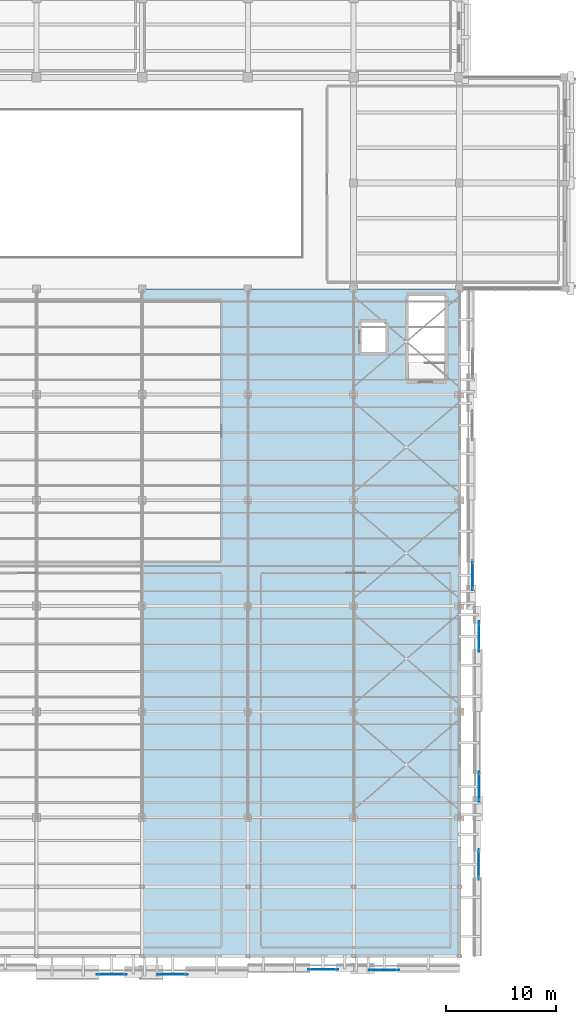
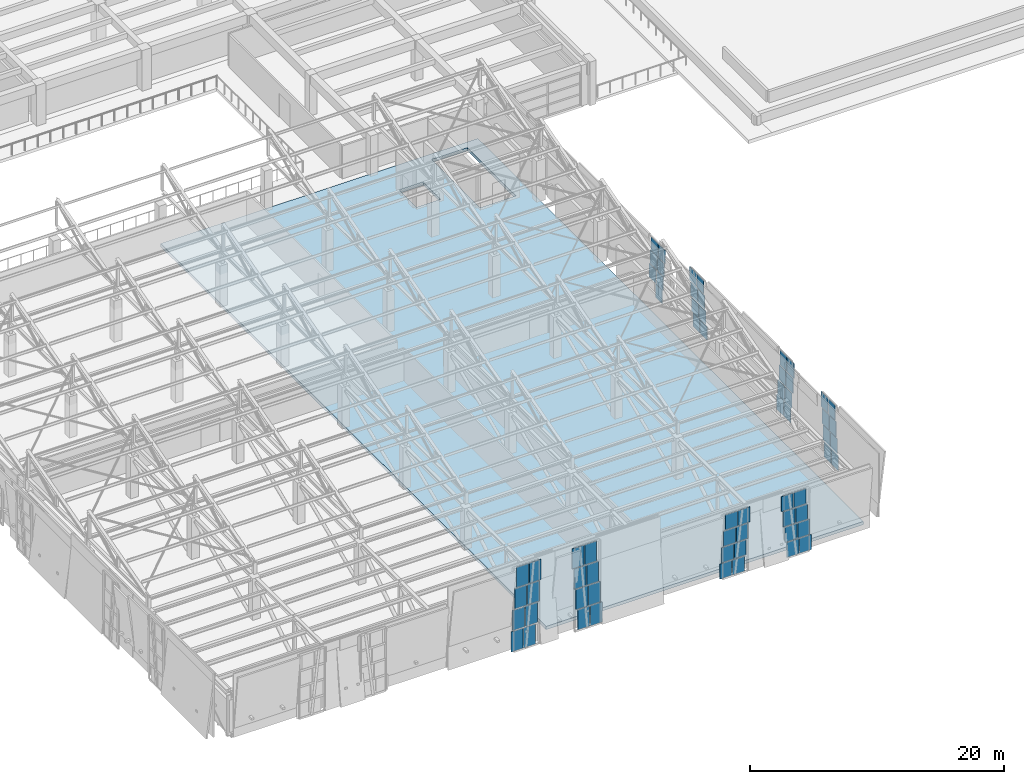
# One storey, part 35 of 71: 63 plates, 1 slab, 8 elements without a shape of their own.
"""IFC4 building model written with IfcOpenShell, lengths in metres."""

from ifc_helpers import new_model, si_unit, direction, frame, origin, origin_2d, place, context, subcontext, project, spatial, polyline, rectangle, outline, extrude, material, layer, layer_set, type_object, element, aggregate, save


model = new_model("IFC4")

# Units and contexts
model_context = context("Model", 3, precision=1e-05, world=origin(), true_north=direction((0.0, 1.0)))
body_context = subcontext(model_context, "Body", "Model", "MODEL_VIEW")
ifc_project = project(units=[si_unit("LENGTHUNIT", "METRE"), si_unit("AREAUNIT", "SQUARE_METRE"), si_unit("VOLUMEUNIT", "CUBIC_METRE"), si_unit("PLANEANGLEUNIT", "RADIAN"), si_unit("MASSUNIT", "GRAM", prefix="KILO")], contexts=[model_context])

# Site, building, storey
site_placement = place(None, origin())
site = spatial("IfcSite", under=ifc_project, at=site_placement, CompositionType="ELEMENT")
building_placement = place(site_placement, origin())
building = spatial("IfcBuilding", under=site, at=building_placement, Name="Bempovik Park Faculty of Sciences", CompositionType="ELEMENT")
storey_placement = place(building_placement, frame((0.0, 0.0, 14.10009765625)))
storey = spatial("IfcBuildingStorey", under=building, at=storey_placement, Name="L03", CompositionType="ELEMENT", Elevation=14.10009765625)

# Curtain wall, plates
ifc_material_1 = material(Name="Tempered laminated low-E glass", Category="glass")
ifc_layer_1 = layer(ifc_material_1, 0.159912109375)
ifc_layer_set_1 = layer_set([ifc_layer_1], Name="Tempered laminated low-E glass")
curtain_wall_type = type_object("IfcCurtainWallType", Name="CW-33 Curtain 2400x4000", PredefinedType="USERDEFINED", material=ifc_layer_set_1)
curtain_wall_1_placement = place(storey_placement, origin())
curtain_wall_1 = element("IfcCurtainWall", 1, at=curtain_wall_1_placement, inside=storey, type_object=curtain_wall_type, Name="L03 Crystal Slantwise Light Fold (117.6,7.2)", ObjectType="UNITISED CURTAIN WALL", PredefinedType="USERDEFINED")
ifc_layer_2 = layer(ifc_material_1, 0.035888671875)
ifc_layer_set_2 = layer_set([ifc_layer_2], Name="Tempered laminated low-E glass")
plate_type = type_object("IfcPlateType", Name="CP-22 Curtain Panel 36mm", PredefinedType="CURTAIN_PANEL", material=ifc_layer_set_2)
plate_1_placement = place(storey_placement, frame((119.360595703125, 14.695068359375, 0.0), z_axis=(0.0, 0.0, 1.0), x_axis=(0.0, 1.0, 0.0)))
plate_1 = element("IfcPlate", 2, at=plate_1_placement, type_object=plate_type, Name="CW-FOLD-L03-1176-72 Panel 0-0", PredefinedType="CURTAIN_PANEL", context=body_context, shape_type="SweptSolid", body=[
    extrude(rectangle(XDim=1.070068359375, YDim=0.035888671875, at=origin_2d()), origin(), (0.0, 0.0, 1.0), 1.4423828125),
])
plate_2_placement = place(storey_placement, frame((119.360595703125, 14.864990234375, 1.5224609375), z_axis=(0.0, 0.0, 1.0), x_axis=(0.0, 1.0, 0.0)))
plate_2 = element("IfcPlate", 3, at=plate_2_placement, type_object=plate_type, Name="CW-FOLD-L03-1176-72 Panel 0-1", PredefinedType="CURTAIN_PANEL", context=body_context, shape_type="SweptSolid", body=[
    extrude(rectangle(XDim=1.070068359375, YDim=0.035888671875, at=origin_2d()), origin(), (0.0, 0.0, 1.0), 1.4423828125),
])
plate_3_placement = place(storey_placement, frame((119.360595703125, 15.034912109375, 3.044921875), z_axis=(0.0, 0.0, 1.0), x_axis=(0.0, 1.0, 0.0)))
plate_3 = element("IfcPlate", 4, at=plate_3_placement, type_object=plate_type, Name="CW-FOLD-L03-1176-72 Panel 0-2", PredefinedType="CURTAIN_PANEL", context=body_context, shape_type="SweptSolid", body=[
    extrude(rectangle(XDim=1.070068359375, YDim=0.035888671875, at=origin_2d()), origin(), (0.0, 0.0, 1.0), 1.4423828125),
])
plate_4_placement = place(storey_placement, frame((119.360595703125, 15.205078125, 4.5673828125), z_axis=(0.0, 0.0, 1.0), x_axis=(0.0, 1.0, 0.0)))
plate_4 = element("IfcPlate", 5, at=plate_4_placement, type_object=plate_type, Name="CW-FOLD-L03-1176-72 Panel 0-3", PredefinedType="CURTAIN_PANEL", context=body_context, shape_type="SweptSolid", body=[
    extrude(rectangle(XDim=1.070068359375, YDim=0.035888671875, at=origin_2d()), origin(), (0.0, 0.0, 1.0), 1.4423828125),
])
plate_5_placement = place(storey_placement, frame((119.360595703125, 15.844970703125, 0.0), z_axis=(0.0, 0.0, 1.0), x_axis=(0.0, 1.0, 0.0)))
plate_5 = element("IfcPlate", 6, at=plate_5_placement, type_object=plate_type, Name="CW-FOLD-L03-1176-72 Panel 1-0", PredefinedType="CURTAIN_PANEL", context=body_context, shape_type="SweptSolid", body=[
    extrude(rectangle(XDim=1.070068359375, YDim=0.035888671875, at=origin_2d()), origin(), (0.0, 0.0, 1.0), 1.4423828125),
])
plate_6_placement = place(storey_placement, frame((119.360595703125, 16.014892578125, 1.5224609375), z_axis=(0.0, 0.0, 1.0), x_axis=(0.0, 1.0, 0.0)))
plate_6 = element("IfcPlate", 7, at=plate_6_placement, type_object=plate_type, Name="CW-FOLD-L03-1176-72 Panel 1-1", PredefinedType="CURTAIN_PANEL", context=body_context, shape_type="SweptSolid", body=[
    extrude(rectangle(XDim=1.070068359375, YDim=0.035888671875, at=origin_2d()), origin(), (0.0, 0.0, 1.0), 1.4423828125),
])
plate_7_placement = place(storey_placement, frame((119.360595703125, 16.18505859375, 3.044921875), z_axis=(0.0, 0.0, 1.0), x_axis=(0.0, 1.0, 0.0)))
plate_7 = element("IfcPlate", 8, at=plate_7_placement, type_object=plate_type, Name="CW-FOLD-L03-1176-72 Panel 1-2", PredefinedType="CURTAIN_PANEL", context=body_context, shape_type="SweptSolid", body=[
    extrude(rectangle(XDim=1.070068359375, YDim=0.035888671875, at=origin_2d()), origin(), (0.0, 0.0, 1.0), 1.4423828125),
])
plate_8_placement = place(storey_placement, frame((119.360595703125, 16.35498046875, 4.5673828125), z_axis=(0.0, 0.0, 1.0), x_axis=(0.0, 1.0, 0.0)))
plate_8 = element("IfcPlate", 9, at=plate_8_placement, type_object=plate_type, Name="CW-FOLD-L03-1176-72 Panel 1-3", PredefinedType="CURTAIN_PANEL", context=body_context, shape_type="SweptSolid", body=[
    extrude(rectangle(XDim=1.070068359375, YDim=0.035888671875, at=origin_2d()), origin(), (0.0, 0.0, 1.0), 1.4423828125),
])
aggregate(curtain_wall_1, [plate_1, plate_2, plate_3, plate_4, plate_5, plate_6, plate_7, plate_8])

curtain_wall_2_placement = place(storey_placement, origin())
curtain_wall_2 = element("IfcCurtainWall", 10, at=curtain_wall_2_placement, inside=storey, type_object=curtain_wall_type, Name="L03 Crystal Slantwise Light Fold (117.6,19.8)", ObjectType="UNITISED CURTAIN WALL", PredefinedType="USERDEFINED")
plate_9_placement = place(storey_placement, frame((119.402587890625, 22.2548828125, 0.0), z_axis=(0.0, 0.0, 1.0), x_axis=(0.0, 1.0, 0.0)))
plate_9 = element("IfcPlate", 11, at=plate_9_placement, type_object=plate_type, Name="CW-FOLD-L03-1176-198 Panel 0-0", PredefinedType="CURTAIN_PANEL", context=body_context, shape_type="SweptSolid", body=[
    extrude(rectangle(XDim=1.070068359375, YDim=0.035888671875, at=origin_2d()), origin(), (0.0, 0.0, 1.0), 1.4423828125),
])
plate_10_placement = place(storey_placement, frame((119.402587890625, 22.0849609375, 1.5224609375), z_axis=(0.0, 0.0, 1.0), x_axis=(0.0, 1.0, 0.0)))
plate_10 = element("IfcPlate", 12, at=plate_10_placement, type_object=plate_type, Name="CW-FOLD-L03-1176-198 Panel 0-1", PredefinedType="CURTAIN_PANEL", context=body_context, shape_type="SweptSolid", body=[
    extrude(rectangle(XDim=1.070068359375, YDim=0.035888671875, at=origin_2d()), origin(), (0.0, 0.0, 1.0), 1.4423828125),
])
plate_11_placement = place(storey_placement, frame((119.402587890625, 21.9150390625, 3.044921875), z_axis=(0.0, 0.0, 1.0), x_axis=(0.0, 1.0, 0.0)))
plate_11 = element("IfcPlate", 13, at=plate_11_placement, type_object=plate_type, Name="CW-FOLD-L03-1176-198 Panel 0-2", PredefinedType="CURTAIN_PANEL", context=body_context, shape_type="SweptSolid", body=[
    extrude(rectangle(XDim=1.070068359375, YDim=0.035888671875, at=origin_2d()), origin(), (0.0, 0.0, 1.0), 1.4423828125),
])
plate_12_placement = place(storey_placement, frame((119.402587890625, 21.7451171875, 4.5673828125), z_axis=(0.0, 0.0, 1.0), x_axis=(0.0, 1.0, 0.0)))
plate_12 = element("IfcPlate", 14, at=plate_12_placement, type_object=plate_type, Name="CW-FOLD-L03-1176-198 Panel 0-3", PredefinedType="CURTAIN_PANEL", context=body_context, shape_type="SweptSolid", body=[
    extrude(rectangle(XDim=1.070068359375, YDim=0.035888671875, at=origin_2d()), origin(), (0.0, 0.0, 1.0), 1.4423828125),
])
plate_13_placement = place(storey_placement, frame((119.402587890625, 23.405029296875, 0.0), z_axis=(0.0, 0.0, 1.0), x_axis=(0.0, 1.0, 0.0)))
plate_13 = element("IfcPlate", 15, at=plate_13_placement, type_object=plate_type, Name="CW-FOLD-L03-1176-198 Panel 1-0", PredefinedType="CURTAIN_PANEL", context=body_context, shape_type="SweptSolid", body=[
    extrude(rectangle(XDim=1.070068359375, YDim=0.035888671875, at=origin_2d()), origin(), (0.0, 0.0, 1.0), 1.4423828125),
])
plate_14_placement = place(storey_placement, frame((119.402587890625, 23.235107421875, 1.5224609375), z_axis=(0.0, 0.0, 1.0), x_axis=(0.0, 1.0, 0.0)))
plate_14 = element("IfcPlate", 16, at=plate_14_placement, type_object=plate_type, Name="CW-FOLD-L03-1176-198 Panel 1-1", PredefinedType="CURTAIN_PANEL", context=body_context, shape_type="SweptSolid", body=[
    extrude(rectangle(XDim=1.070068359375, YDim=0.035888671875, at=origin_2d()), origin(), (0.0, 0.0, 1.0), 1.4423828125),
])
plate_15_placement = place(storey_placement, frame((119.402587890625, 23.06494140625, 3.044921875), z_axis=(0.0, 0.0, 1.0), x_axis=(0.0, 1.0, 0.0)))
plate_15 = element("IfcPlate", 17, at=plate_15_placement, type_object=plate_type, Name="CW-FOLD-L03-1176-198 Panel 1-2", PredefinedType="CURTAIN_PANEL", context=body_context, shape_type="SweptSolid", body=[
    extrude(rectangle(XDim=1.070068359375, YDim=0.035888671875, at=origin_2d()), origin(), (0.0, 0.0, 1.0), 1.4423828125),
])
plate_16_placement = place(storey_placement, frame((119.402587890625, 22.89501953125, 4.5673828125), z_axis=(0.0, 0.0, 1.0), x_axis=(0.0, 1.0, 0.0)))
plate_16 = element("IfcPlate", 18, at=plate_16_placement, type_object=plate_type, Name="CW-FOLD-L03-1176-198 Panel 1-3", PredefinedType="CURTAIN_PANEL", context=body_context, shape_type="SweptSolid", body=[
    extrude(rectangle(XDim=1.070068359375, YDim=0.035888671875, at=origin_2d()), origin(), (0.0, 0.0, 1.0), 1.4423828125),
])
aggregate(curtain_wall_2, [plate_9, plate_10, plate_11, plate_12, plate_13, plate_14, plate_15, plate_16])

curtain_wall_3_placement = place(storey_placement, origin())
curtain_wall_3 = element("IfcCurtainWall", 19, at=curtain_wall_3_placement, inside=storey, type_object=curtain_wall_type, Name="L03 Crystal Slantwise Light Fold (117.6,29.4)", ObjectType="UNITISED CURTAIN WALL", PredefinedType="USERDEFINED")
plate_17_placement = place(storey_placement, frame((119.382080078125, 35.39501953125, -0.000244140625), z_axis=(0.0, 0.0, 1.0), x_axis=(0.0, 1.0, 0.0)))
plate_17 = element("IfcPlate", 20, at=plate_17_placement, type_object=plate_type, Name="CW-FOLD-L03-1176-294 Panel 0-0", PredefinedType="CURTAIN_PANEL", context=body_context, shape_type="SweptSolid", body=[
    extrude(rectangle(XDim=1.070068359375, YDim=0.035888671875, at=origin_2d()), origin(), (0.0, 0.0, 1.0), 1.29248046875),
])
plate_18_placement = place(storey_placement, frame((119.382080078125, 35.56494140625, 1.372314453125), z_axis=(0.0, 0.0, 1.0), x_axis=(0.0, 1.0, 0.0)))
plate_18 = element("IfcPlate", 21, at=plate_18_placement, type_object=plate_type, Name="CW-FOLD-L03-1176-294 Panel 0-1", PredefinedType="CURTAIN_PANEL", context=body_context, shape_type="SweptSolid", body=[
    extrude(rectangle(XDim=1.070068359375, YDim=0.035888671875, at=origin_2d()), origin(), (0.0, 0.0, 1.0), 1.29248046875),
])
plate_19_placement = place(storey_placement, frame((119.382080078125, 35.735107421875, 2.744873046875), z_axis=(0.0, 0.0, 1.0), x_axis=(0.0, 1.0, 0.0)))
plate_19 = element("IfcPlate", 22, at=plate_19_placement, type_object=plate_type, Name="CW-FOLD-L03-1176-294 Panel 0-2", PredefinedType="CURTAIN_PANEL", context=body_context, shape_type="SweptSolid", body=[
    extrude(rectangle(XDim=1.070068359375, YDim=0.035888671875, at=origin_2d()), origin(), (0.0, 0.0, 1.0), 1.29248046875),
])
plate_20_placement = place(storey_placement, frame((119.382080078125, 35.905029296875, 4.117431640625), z_axis=(0.0, 0.0, 1.0), x_axis=(0.0, 1.0, 0.0)))
plate_20 = element("IfcPlate", 23, at=plate_20_placement, type_object=plate_type, Name="CW-FOLD-L03-1176-294 Panel 0-3", PredefinedType="CURTAIN_PANEL", context=body_context, shape_type="SweptSolid", body=[
    extrude(rectangle(XDim=1.070068359375, YDim=0.035888671875, at=origin_2d()), origin(), (0.0, 0.0, 1.0), 1.29248046875),
])
plate_21_placement = place(storey_placement, frame((119.382080078125, 36.544921875, -0.000244140625), z_axis=(0.0, 0.0, 1.0), x_axis=(0.0, 1.0, 0.0)))
plate_21 = element("IfcPlate", 24, at=plate_21_placement, type_object=plate_type, Name="CW-FOLD-L03-1176-294 Panel 1-0", PredefinedType="CURTAIN_PANEL", context=body_context, shape_type="SweptSolid", body=[
    extrude(rectangle(XDim=1.070068359375, YDim=0.035888671875, at=origin_2d()), origin(), (0.0, 0.0, 1.0), 1.29248046875),
])
plate_22_placement = place(storey_placement, frame((119.382080078125, 36.715087890625, 1.372314453125), z_axis=(0.0, 0.0, 1.0), x_axis=(0.0, 1.0, 0.0)))
plate_22 = element("IfcPlate", 25, at=plate_22_placement, type_object=plate_type, Name="CW-FOLD-L03-1176-294 Panel 1-1", PredefinedType="CURTAIN_PANEL", context=body_context, shape_type="SweptSolid", body=[
    extrude(rectangle(XDim=1.070068359375, YDim=0.035888671875, at=origin_2d()), origin(), (0.0, 0.0, 1.0), 1.29248046875),
])
plate_23_placement = place(storey_placement, frame((119.382080078125, 36.885009765625, 2.744873046875), z_axis=(0.0, 0.0, 1.0), x_axis=(0.0, 1.0, 0.0)))
plate_23 = element("IfcPlate", 26, at=plate_23_placement, type_object=plate_type, Name="CW-FOLD-L03-1176-294 Panel 1-2", PredefinedType="CURTAIN_PANEL", context=body_context, shape_type="SweptSolid", body=[
    extrude(rectangle(XDim=1.070068359375, YDim=0.035888671875, at=origin_2d()), origin(), (0.0, 0.0, 1.0), 1.29248046875),
])
plate_24_placement = place(storey_placement, frame((119.382080078125, 37.054931640625, 4.117431640625), z_axis=(0.0, 0.0, 1.0), x_axis=(0.0, 1.0, 0.0)))
plate_24 = element("IfcPlate", 27, at=plate_24_placement, type_object=plate_type, Name="CW-FOLD-L03-1176-294 Panel 1-3", PredefinedType="CURTAIN_PANEL", context=body_context, shape_type="SweptSolid", body=[
    extrude(rectangle(XDim=1.070068359375, YDim=0.035888671875, at=origin_2d()), origin(), (0.0, 0.0, 1.0), 1.29248046875),
])
aggregate(curtain_wall_3, [plate_17, plate_18, plate_19, plate_20, plate_21, plate_22, plate_23, plate_24])

curtain_wall_4_placement = place(storey_placement, origin())
curtain_wall_4 = element("IfcCurtainWall", 28, at=curtain_wall_4_placement, inside=storey, type_object=curtain_wall_type, Name="L03 Crystal Slantwise Light Fold (117.6,39.0)", ObjectType="UNITISED CURTAIN WALL", PredefinedType="USERDEFINED")
plate_25_placement = place(storey_placement, frame((118.8115234375, 41.455078125, -0.000244140625), z_axis=(0.0, 0.0, 1.0), x_axis=(0.0, 1.0, 0.0)))
plate_25 = element("IfcPlate", 29, at=plate_25_placement, type_object=plate_type, Name="CW-FOLD-L03-1176-390 Panel 0-0", PredefinedType="CURTAIN_PANEL", context=body_context, shape_type="SweptSolid", body=[
    extrude(rectangle(XDim=1.070068359375, YDim=0.035888671875, at=origin_2d()), origin(), (0.0, 0.0, 1.0), 1.29248046875),
])
plate_26_placement = place(storey_placement, frame((118.8115234375, 41.284912109375, 1.372314453125), z_axis=(0.0, 0.0, 1.0), x_axis=(0.0, 1.0, 0.0)))
plate_26 = element("IfcPlate", 30, at=plate_26_placement, type_object=plate_type, Name="CW-FOLD-L03-1176-390 Panel 0-1", PredefinedType="CURTAIN_PANEL", context=body_context, shape_type="SweptSolid", body=[
    extrude(rectangle(XDim=1.070068359375, YDim=0.035888671875, at=origin_2d()), origin(), (0.0, 0.0, 1.0), 1.29248046875),
])
plate_27_placement = place(storey_placement, frame((118.8115234375, 41.114990234375, 2.744873046875), z_axis=(0.0, 0.0, 1.0), x_axis=(0.0, 1.0, 0.0)))
plate_27 = element("IfcPlate", 31, at=plate_27_placement, type_object=plate_type, Name="CW-FOLD-L03-1176-390 Panel 0-2", PredefinedType="CURTAIN_PANEL", context=body_context, shape_type="SweptSolid", body=[
    extrude(rectangle(XDim=1.070068359375, YDim=0.035888671875, at=origin_2d()), origin(), (0.0, 0.0, 1.0), 1.29248046875),
])
plate_28_placement = place(storey_placement, frame((118.8115234375, 40.945068359375, 4.117431640625), z_axis=(0.0, 0.0, 1.0), x_axis=(0.0, 1.0, 0.0)))
plate_28 = element("IfcPlate", 32, at=plate_28_placement, type_object=plate_type, Name="CW-FOLD-L03-1176-390 Panel 0-3", PredefinedType="CURTAIN_PANEL", context=body_context, shape_type="SweptSolid", body=[
    extrude(rectangle(XDim=1.070068359375, YDim=0.035888671875, at=origin_2d()), origin(), (0.0, 0.0, 1.0), 1.29248046875),
])
plate_29_placement = place(storey_placement, frame((118.8115234375, 42.43505859375, 1.372314453125), z_axis=(0.0, 0.0, 1.0), x_axis=(0.0, 1.0, 0.0)))
plate_29 = element("IfcPlate", 33, at=plate_29_placement, type_object=plate_type, Name="CW-FOLD-L03-1176-390 Panel 1-1", PredefinedType="CURTAIN_PANEL", context=body_context, shape_type="SweptSolid", body=[
    extrude(rectangle(XDim=1.070068359375, YDim=0.035888671875, at=origin_2d()), origin(), (0.0, 0.0, 1.0), 1.29248046875),
])
plate_30_placement = place(storey_placement, frame((118.8115234375, 42.264892578125, 2.744873046875), z_axis=(0.0, 0.0, 1.0), x_axis=(0.0, 1.0, 0.0)))
plate_30 = element("IfcPlate", 34, at=plate_30_placement, type_object=plate_type, Name="CW-FOLD-L03-1176-390 Panel 1-2", PredefinedType="CURTAIN_PANEL", context=body_context, shape_type="SweptSolid", body=[
    extrude(rectangle(XDim=1.070068359375, YDim=0.035888671875, at=origin_2d()), origin(), (0.0, 0.0, 1.0), 1.29248046875),
])
plate_31_placement = place(storey_placement, frame((118.8115234375, 42.094970703125, 4.117431640625), z_axis=(0.0, 0.0, 1.0), x_axis=(0.0, 1.0, 0.0)))
plate_31 = element("IfcPlate", 35, at=plate_31_placement, type_object=plate_type, Name="CW-FOLD-L03-1176-390 Panel 1-3", PredefinedType="CURTAIN_PANEL", context=body_context, shape_type="SweptSolid", body=[
    extrude(rectangle(XDim=1.070068359375, YDim=0.035888671875, at=origin_2d()), origin(), (0.0, 0.0, 1.0), 1.29248046875),
])
aggregate(curtain_wall_4, [plate_25, plate_26, plate_27, plate_28, plate_29, plate_30, plate_31])

curtain_wall_5_placement = place(storey_placement, origin())
curtain_wall_5 = element("IfcCurtainWall", 36, at=curtain_wall_5_placement, inside=storey, type_object=curtain_wall_type, Name="L03 Crystal Slantwise Light Fold (7.2,79.2)", ObjectType="UNITISED CURTAIN WALL", PredefinedType="USERDEFINED")
plate_32_placement = place(storey_placement, frame((85.195068359375, 5.552734375, 0.0), z_axis=(0.0, 0.0, 1.0), x_axis=(1.0, 0.0, 0.0)))
plate_32 = element("IfcPlate", 37, at=plate_32_placement, type_object=plate_type, Name="CW-FOLD-L03-72-792 Panel 0-0", PredefinedType="CURTAIN_PANEL", context=body_context, shape_type="SweptSolid", body=[
    extrude(rectangle(XDim=1.070068359375, YDim=0.035888671875, at=origin_2d()), origin(), (0.0, 0.0, 1.0), 1.929931640625),
])
plate_33_placement = place(storey_placement, frame((85.364990234375, 5.552734375, 2.009765625), z_axis=(0.0, 0.0, 1.0), x_axis=(1.0, 0.0, 0.0)))
plate_33 = element("IfcPlate", 38, at=plate_33_placement, type_object=plate_type, Name="CW-FOLD-L03-72-792 Panel 0-1", PredefinedType="CURTAIN_PANEL", context=body_context, shape_type="SweptSolid", body=[
    extrude(rectangle(XDim=1.070068359375, YDim=0.035888671875, at=origin_2d()), origin(), (0.0, 0.0, 1.0), 1.929931640625),
])
plate_34_placement = place(storey_placement, frame((85.534912109375, 5.552734375, 4.02001953125), z_axis=(0.0, 0.0, 1.0), x_axis=(1.0, 0.0, 0.0)))
plate_34 = element("IfcPlate", 39, at=plate_34_placement, type_object=plate_type, Name="CW-FOLD-L03-72-792 Panel 0-2", PredefinedType="CURTAIN_PANEL", context=body_context, shape_type="SweptSolid", body=[
    extrude(rectangle(XDim=1.070068359375, YDim=0.035888671875, at=origin_2d()), origin(), (0.0, 0.0, 1.0), 1.929931640625),
])
plate_35_placement = place(storey_placement, frame((85.705078125, 5.552734375, 6.02978515625), z_axis=(0.0, 0.0, 1.0), x_axis=(1.0, 0.0, 0.0)))
plate_35 = element("IfcPlate", 40, at=plate_35_placement, type_object=plate_type, Name="CW-FOLD-L03-72-792 Panel 0-3", PredefinedType="CURTAIN_PANEL", context=body_context, shape_type="SweptSolid", body=[
    extrude(rectangle(XDim=1.070068359375, YDim=0.035888671875, at=origin_2d()), origin(), (0.0, 0.0, 1.0), 1.929931640625),
])
plate_36_placement = place(storey_placement, frame((86.344970703125, 5.552734375, 0.0), z_axis=(0.0, 0.0, 1.0), x_axis=(1.0, 0.0, 0.0)))
plate_36 = element("IfcPlate", 41, at=plate_36_placement, type_object=plate_type, Name="CW-FOLD-L03-72-792 Panel 1-0", PredefinedType="CURTAIN_PANEL", context=body_context, shape_type="SweptSolid", body=[
    extrude(rectangle(XDim=1.070068359375, YDim=0.035888671875, at=origin_2d()), origin(), (0.0, 0.0, 1.0), 1.929931640625),
])
plate_37_placement = place(storey_placement, frame((86.514892578125, 5.552734375, 2.009765625), z_axis=(0.0, 0.0, 1.0), x_axis=(1.0, 0.0, 0.0)))
plate_37 = element("IfcPlate", 42, at=plate_37_placement, type_object=plate_type, Name="CW-FOLD-L03-72-792 Panel 1-1", PredefinedType="CURTAIN_PANEL", context=body_context, shape_type="SweptSolid", body=[
    extrude(rectangle(XDim=1.070068359375, YDim=0.035888671875, at=origin_2d()), origin(), (0.0, 0.0, 1.0), 1.929931640625),
])
plate_38_placement = place(storey_placement, frame((86.68505859375, 5.552734375, 4.02001953125), z_axis=(0.0, 0.0, 1.0), x_axis=(1.0, 0.0, 0.0)))
plate_38 = element("IfcPlate", 43, at=plate_38_placement, type_object=plate_type, Name="CW-FOLD-L03-72-792 Panel 1-2", PredefinedType="CURTAIN_PANEL", context=body_context, shape_type="SweptSolid", body=[
    extrude(rectangle(XDim=1.070068359375, YDim=0.035888671875, at=origin_2d()), origin(), (0.0, 0.0, 1.0), 1.929931640625),
])
plate_39_placement = place(storey_placement, frame((86.85498046875, 5.552734375, 6.02978515625), z_axis=(0.0, 0.0, 1.0), x_axis=(1.0, 0.0, 0.0)))
plate_39 = element("IfcPlate", 44, at=plate_39_placement, type_object=plate_type, Name="CW-FOLD-L03-72-792 Panel 1-3", PredefinedType="CURTAIN_PANEL", context=body_context, shape_type="SweptSolid", body=[
    extrude(rectangle(XDim=1.070068359375, YDim=0.035888671875, at=origin_2d()), origin(), (0.0, 0.0, 1.0), 1.929931640625),
])
aggregate(curtain_wall_5, [plate_32, plate_33, plate_34, plate_35, plate_36, plate_37, plate_38, plate_39])

curtain_wall_6_placement = place(storey_placement, origin())
curtain_wall_6 = element("IfcCurtainWall", 45, at=curtain_wall_6_placement, inside=storey, type_object=curtain_wall_type, Name="L03 Crystal Slantwise Light Fold (7.2,88.8)", ObjectType="UNITISED CURTAIN WALL", PredefinedType="USERDEFINED")
plate_40_placement = place(storey_placement, frame((91.2548828125, 5.552734375, 0.0), z_axis=(0.0, 0.0, 1.0), x_axis=(1.0, 0.0, 0.0)))
plate_40 = element("IfcPlate", 46, at=plate_40_placement, type_object=plate_type, Name="CW-FOLD-L03-72-888 Panel 0-0", PredefinedType="CURTAIN_PANEL", context=body_context, shape_type="SweptSolid", body=[
    extrude(rectangle(XDim=1.070068359375, YDim=0.035888671875, at=origin_2d()), origin(), (0.0, 0.0, 1.0), 1.929931640625),
])
plate_41_placement = place(storey_placement, frame((91.0849609375, 5.552734375, 2.009765625), z_axis=(0.0, 0.0, 1.0), x_axis=(1.0, 0.0, 0.0)))
plate_41 = element("IfcPlate", 47, at=plate_41_placement, type_object=plate_type, Name="CW-FOLD-L03-72-888 Panel 0-1", PredefinedType="CURTAIN_PANEL", context=body_context, shape_type="SweptSolid", body=[
    extrude(rectangle(XDim=1.070068359375, YDim=0.035888671875, at=origin_2d()), origin(), (0.0, 0.0, 1.0), 1.929931640625),
])
plate_42_placement = place(storey_placement, frame((90.9150390625, 5.552734375, 4.02001953125), z_axis=(0.0, 0.0, 1.0), x_axis=(1.0, 0.0, 0.0)))
plate_42 = element("IfcPlate", 48, at=plate_42_placement, type_object=plate_type, Name="CW-FOLD-L03-72-888 Panel 0-2", PredefinedType="CURTAIN_PANEL", context=body_context, shape_type="SweptSolid", body=[
    extrude(rectangle(XDim=1.070068359375, YDim=0.035888671875, at=origin_2d()), origin(), (0.0, 0.0, 1.0), 1.929931640625),
])
plate_43_placement = place(storey_placement, frame((90.7451171875, 5.552734375, 6.02978515625), z_axis=(0.0, 0.0, 1.0), x_axis=(1.0, 0.0, 0.0)))
plate_43 = element("IfcPlate", 49, at=plate_43_placement, type_object=plate_type, Name="CW-FOLD-L03-72-888 Panel 0-3", PredefinedType="CURTAIN_PANEL", context=body_context, shape_type="SweptSolid", body=[
    extrude(rectangle(XDim=1.070068359375, YDim=0.035888671875, at=origin_2d()), origin(), (0.0, 0.0, 1.0), 1.929931640625),
])
plate_44_placement = place(storey_placement, frame((92.405029296875, 5.552734375, 0.0), z_axis=(0.0, 0.0, 1.0), x_axis=(1.0, 0.0, 0.0)))
plate_44 = element("IfcPlate", 50, at=plate_44_placement, type_object=plate_type, Name="CW-FOLD-L03-72-888 Panel 1-0", PredefinedType="CURTAIN_PANEL", context=body_context, shape_type="SweptSolid", body=[
    extrude(rectangle(XDim=1.070068359375, YDim=0.035888671875, at=origin_2d()), origin(), (0.0, 0.0, 1.0), 1.929931640625),
])
plate_45_placement = place(storey_placement, frame((92.235107421875, 5.552734375, 2.009765625), z_axis=(0.0, 0.0, 1.0), x_axis=(1.0, 0.0, 0.0)))
plate_45 = element("IfcPlate", 51, at=plate_45_placement, type_object=plate_type, Name="CW-FOLD-L03-72-888 Panel 1-1", PredefinedType="CURTAIN_PANEL", context=body_context, shape_type="SweptSolid", body=[
    extrude(rectangle(XDim=1.070068359375, YDim=0.035888671875, at=origin_2d()), origin(), (0.0, 0.0, 1.0), 1.929931640625),
])
plate_46_placement = place(storey_placement, frame((92.06494140625, 5.552734375, 4.02001953125), z_axis=(0.0, 0.0, 1.0), x_axis=(1.0, 0.0, 0.0)))
plate_46 = element("IfcPlate", 52, at=plate_46_placement, type_object=plate_type, Name="CW-FOLD-L03-72-888 Panel 1-2", PredefinedType="CURTAIN_PANEL", context=body_context, shape_type="SweptSolid", body=[
    extrude(rectangle(XDim=1.070068359375, YDim=0.035888671875, at=origin_2d()), origin(), (0.0, 0.0, 1.0), 1.929931640625),
])
plate_47_placement = place(storey_placement, frame((91.89501953125, 5.552734375, 6.02978515625), z_axis=(0.0, 0.0, 1.0), x_axis=(1.0, 0.0, 0.0)))
plate_47 = element("IfcPlate", 53, at=plate_47_placement, type_object=plate_type, Name="CW-FOLD-L03-72-888 Panel 1-3", PredefinedType="CURTAIN_PANEL", context=body_context, shape_type="SweptSolid", body=[
    extrude(rectangle(XDim=1.070068359375, YDim=0.035888671875, at=origin_2d()), origin(), (0.0, 0.0, 1.0), 1.929931640625),
])
aggregate(curtain_wall_6, [plate_40, plate_41, plate_42, plate_43, plate_44, plate_45, plate_46, plate_47])

curtain_wall_7_placement = place(storey_placement, origin())
curtain_wall_7 = element("IfcCurtainWall", 54, at=curtain_wall_7_placement, inside=storey, type_object=curtain_wall_type, Name="L03 Crystal Slantwise Light Fold (7.2,98.4)", ObjectType="UNITISED CURTAIN WALL", PredefinedType="USERDEFINED")
plate_48_placement = place(storey_placement, frame((104.39501953125, 5.98779296875, 0.0), z_axis=(0.0, 0.0, 1.0), x_axis=(1.0, 0.0, 0.0)))
plate_48 = element("IfcPlate", 55, at=plate_48_placement, type_object=plate_type, Name="CW-FOLD-L03-72-984 Panel 0-0", PredefinedType="CURTAIN_PANEL", context=body_context, shape_type="SweptSolid", body=[
    extrude(rectangle(XDim=1.070068359375, YDim=0.035888671875, at=origin_2d()), origin(), (0.0, 0.0, 1.0), 1.4423828125),
])
plate_49_placement = place(storey_placement, frame((104.56494140625, 5.98779296875, 1.5224609375), z_axis=(0.0, 0.0, 1.0), x_axis=(1.0, 0.0, 0.0)))
plate_49 = element("IfcPlate", 56, at=plate_49_placement, type_object=plate_type, Name="CW-FOLD-L03-72-984 Panel 0-1", PredefinedType="CURTAIN_PANEL", context=body_context, shape_type="SweptSolid", body=[
    extrude(rectangle(XDim=1.070068359375, YDim=0.035888671875, at=origin_2d()), origin(), (0.0, 0.0, 1.0), 1.4423828125),
])
plate_50_placement = place(storey_placement, frame((104.735107421875, 5.98779296875, 3.044921875), z_axis=(0.0, 0.0, 1.0), x_axis=(1.0, 0.0, 0.0)))
plate_50 = element("IfcPlate", 57, at=plate_50_placement, type_object=plate_type, Name="CW-FOLD-L03-72-984 Panel 0-2", PredefinedType="CURTAIN_PANEL", context=body_context, shape_type="SweptSolid", body=[
    extrude(rectangle(XDim=1.070068359375, YDim=0.035888671875, at=origin_2d()), origin(), (0.0, 0.0, 1.0), 1.4423828125),
])
plate_51_placement = place(storey_placement, frame((104.905029296875, 5.98779296875, 4.5673828125), z_axis=(0.0, 0.0, 1.0), x_axis=(1.0, 0.0, 0.0)))
plate_51 = element("IfcPlate", 58, at=plate_51_placement, type_object=plate_type, Name="CW-FOLD-L03-72-984 Panel 0-3", PredefinedType="CURTAIN_PANEL", context=body_context, shape_type="SweptSolid", body=[
    extrude(rectangle(XDim=1.070068359375, YDim=0.035888671875, at=origin_2d()), origin(), (0.0, 0.0, 1.0), 1.4423828125),
])
plate_52_placement = place(storey_placement, frame((105.544921875, 5.98779296875, 0.0), z_axis=(0.0, 0.0, 1.0), x_axis=(1.0, 0.0, 0.0)))
plate_52 = element("IfcPlate", 59, at=plate_52_placement, type_object=plate_type, Name="CW-FOLD-L03-72-984 Panel 1-0", PredefinedType="CURTAIN_PANEL", context=body_context, shape_type="SweptSolid", body=[
    extrude(rectangle(XDim=1.070068359375, YDim=0.035888671875, at=origin_2d()), origin(), (0.0, 0.0, 1.0), 1.4423828125),
])
plate_53_placement = place(storey_placement, frame((105.715087890625, 5.98779296875, 1.5224609375), z_axis=(0.0, 0.0, 1.0), x_axis=(1.0, 0.0, 0.0)))
plate_53 = element("IfcPlate", 60, at=plate_53_placement, type_object=plate_type, Name="CW-FOLD-L03-72-984 Panel 1-1", PredefinedType="CURTAIN_PANEL", context=body_context, shape_type="SweptSolid", body=[
    extrude(rectangle(XDim=1.070068359375, YDim=0.035888671875, at=origin_2d()), origin(), (0.0, 0.0, 1.0), 1.4423828125),
])
plate_54_placement = place(storey_placement, frame((105.885009765625, 5.98779296875, 3.044921875), z_axis=(0.0, 0.0, 1.0), x_axis=(1.0, 0.0, 0.0)))
plate_54 = element("IfcPlate", 61, at=plate_54_placement, type_object=plate_type, Name="CW-FOLD-L03-72-984 Panel 1-2", PredefinedType="CURTAIN_PANEL", context=body_context, shape_type="SweptSolid", body=[
    extrude(rectangle(XDim=1.070068359375, YDim=0.035888671875, at=origin_2d()), origin(), (0.0, 0.0, 1.0), 1.4423828125),
])
plate_55_placement = place(storey_placement, frame((106.054931640625, 5.98779296875, 4.5673828125), z_axis=(0.0, 0.0, 1.0), x_axis=(1.0, 0.0, 0.0)))
plate_55 = element("IfcPlate", 62, at=plate_55_placement, type_object=plate_type, Name="CW-FOLD-L03-72-984 Panel 1-3", PredefinedType="CURTAIN_PANEL", context=body_context, shape_type="SweptSolid", body=[
    extrude(rectangle(XDim=1.070068359375, YDim=0.035888671875, at=origin_2d()), origin(), (0.0, 0.0, 1.0), 1.4423828125),
])
aggregate(curtain_wall_7, [plate_48, plate_49, plate_50, plate_51, plate_52, plate_53, plate_54, plate_55])

curtain_wall_8_placement = place(storey_placement, origin())
curtain_wall_8 = element("IfcCurtainWall", 63, at=curtain_wall_8_placement, inside=storey, type_object=curtain_wall_type, Name="L03 Crystal Slantwise Light Fold (7.2,108.0)", ObjectType="UNITISED CURTAIN WALL", PredefinedType="USERDEFINED")
plate_56_placement = place(storey_placement, frame((110.455078125, 5.935302734375, 0.0), z_axis=(0.0, 0.0, 1.0), x_axis=(1.0, 0.0, 0.0)))
plate_56 = element("IfcPlate", 64, at=plate_56_placement, type_object=plate_type, Name="CW-FOLD-L03-72-1080 Panel 0-0", PredefinedType="CURTAIN_PANEL", context=body_context, shape_type="SweptSolid", body=[
    extrude(rectangle(XDim=1.070068359375, YDim=0.035888671875, at=origin_2d()), origin(), (0.0, 0.0, 1.0), 1.4423828125),
])
plate_57_placement = place(storey_placement, frame((110.284912109375, 5.935302734375, 1.5224609375), z_axis=(0.0, 0.0, 1.0), x_axis=(1.0, 0.0, 0.0)))
plate_57 = element("IfcPlate", 65, at=plate_57_placement, type_object=plate_type, Name="CW-FOLD-L03-72-1080 Panel 0-1", PredefinedType="CURTAIN_PANEL", context=body_context, shape_type="SweptSolid", body=[
    extrude(rectangle(XDim=1.070068359375, YDim=0.035888671875, at=origin_2d()), origin(), (0.0, 0.0, 1.0), 1.4423828125),
])
plate_58_placement = place(storey_placement, frame((110.114990234375, 5.935302734375, 3.044921875), z_axis=(0.0, 0.0, 1.0), x_axis=(1.0, 0.0, 0.0)))
plate_58 = element("IfcPlate", 66, at=plate_58_placement, type_object=plate_type, Name="CW-FOLD-L03-72-1080 Panel 0-2", PredefinedType="CURTAIN_PANEL", context=body_context, shape_type="SweptSolid", body=[
    extrude(rectangle(XDim=1.070068359375, YDim=0.035888671875, at=origin_2d()), origin(), (0.0, 0.0, 1.0), 1.4423828125),
])
plate_59_placement = place(storey_placement, frame((109.945068359375, 5.935302734375, 4.5673828125), z_axis=(0.0, 0.0, 1.0), x_axis=(1.0, 0.0, 0.0)))
plate_59 = element("IfcPlate", 67, at=plate_59_placement, type_object=plate_type, Name="CW-FOLD-L03-72-1080 Panel 0-3", PredefinedType="CURTAIN_PANEL", context=body_context, shape_type="SweptSolid", body=[
    extrude(rectangle(XDim=1.070068359375, YDim=0.035888671875, at=origin_2d()), origin(), (0.0, 0.0, 1.0), 1.4423828125),
])
plate_60_placement = place(storey_placement, frame((111.60498046875, 5.935302734375, 0.0), z_axis=(0.0, 0.0, 1.0), x_axis=(1.0, 0.0, 0.0)))
plate_60 = element("IfcPlate", 68, at=plate_60_placement, type_object=plate_type, Name="CW-FOLD-L03-72-1080 Panel 1-0", PredefinedType="CURTAIN_PANEL", context=body_context, shape_type="SweptSolid", body=[
    extrude(rectangle(XDim=1.070068359375, YDim=0.035888671875, at=origin_2d()), origin(), (0.0, 0.0, 1.0), 1.4423828125),
])
plate_61_placement = place(storey_placement, frame((111.43505859375, 5.935302734375, 1.5224609375), z_axis=(0.0, 0.0, 1.0), x_axis=(1.0, 0.0, 0.0)))
plate_61 = element("IfcPlate", 69, at=plate_61_placement, type_object=plate_type, Name="CW-FOLD-L03-72-1080 Panel 1-1", PredefinedType="CURTAIN_PANEL", context=body_context, shape_type="SweptSolid", body=[
    extrude(rectangle(XDim=1.070068359375, YDim=0.035888671875, at=origin_2d()), origin(), (0.0, 0.0, 1.0), 1.4423828125),
])
plate_62_placement = place(storey_placement, frame((111.264892578125, 5.935302734375, 3.044921875), z_axis=(0.0, 0.0, 1.0), x_axis=(1.0, 0.0, 0.0)))
plate_62 = element("IfcPlate", 70, at=plate_62_placement, type_object=plate_type, Name="CW-FOLD-L03-72-1080 Panel 1-2", PredefinedType="CURTAIN_PANEL", context=body_context, shape_type="SweptSolid", body=[
    extrude(rectangle(XDim=1.070068359375, YDim=0.035888671875, at=origin_2d()), origin(), (0.0, 0.0, 1.0), 1.4423828125),
])
plate_63_placement = place(storey_placement, frame((111.094970703125, 5.935302734375, 4.5673828125), z_axis=(0.0, 0.0, 1.0), x_axis=(1.0, 0.0, 0.0)))
plate_63 = element("IfcPlate", 71, at=plate_63_placement, type_object=plate_type, Name="CW-FOLD-L03-72-1080 Panel 1-3", PredefinedType="CURTAIN_PANEL", context=body_context, shape_type="SweptSolid", body=[
    extrude(rectangle(XDim=1.070068359375, YDim=0.035888671875, at=origin_2d()), origin(), (0.0, 0.0, 1.0), 1.4423828125),
])
aggregate(curtain_wall_8, [plate_56, plate_57, plate_58, plate_59, plate_60, plate_61, plate_62, plate_63])

# Slab
ifc_material_2 = material(Name="Concrete C40/50", Category="concrete")
ifc_layer_3 = layer(ifc_material_2, 0.320068359375)
ifc_layer_set_3 = layer_set([ifc_layer_3], Name="Concrete C40/50")
slab_type = type_object("IfcSlabType", Name="S-35 Slab 320mm", PredefinedType="FLOOR", material=ifc_layer_set_3)
slab_placement = place(storey_placement, frame((0.0, 0.0, -0.300048828125)))
element("IfcSlab", 72, at=slab_placement, inside=storey, type_object=slab_type, Name="L03 Crystal Commons Mass Floor Slab (E)", PredefinedType="FLOOR", context=body_context, shape_type="SweptSolid", body=[
    extrude(outline(polyline([(88.800048828125, 7.199951171875), (117.60009765625, 7.199951171875), (117.60009765625, 67.800048828125), (88.800048828125, 67.800048828125), (88.800048828125, 7.199951171875)]), holes=[polyline([(113.0, 59.5), (116.25, 59.5), (116.25, 67.125), (113.0, 67.125), (113.0, 59.5)]), polyline([(108.699951171875, 62.050048828125), (110.89990234375, 62.050048828125), (110.89990234375, 64.75), (108.699951171875, 64.75), (108.699951171875, 62.050048828125)])]), origin(), (0.0, 0.0, 1.0), 0.300048828125),
])

save(model, "model.ifc")
